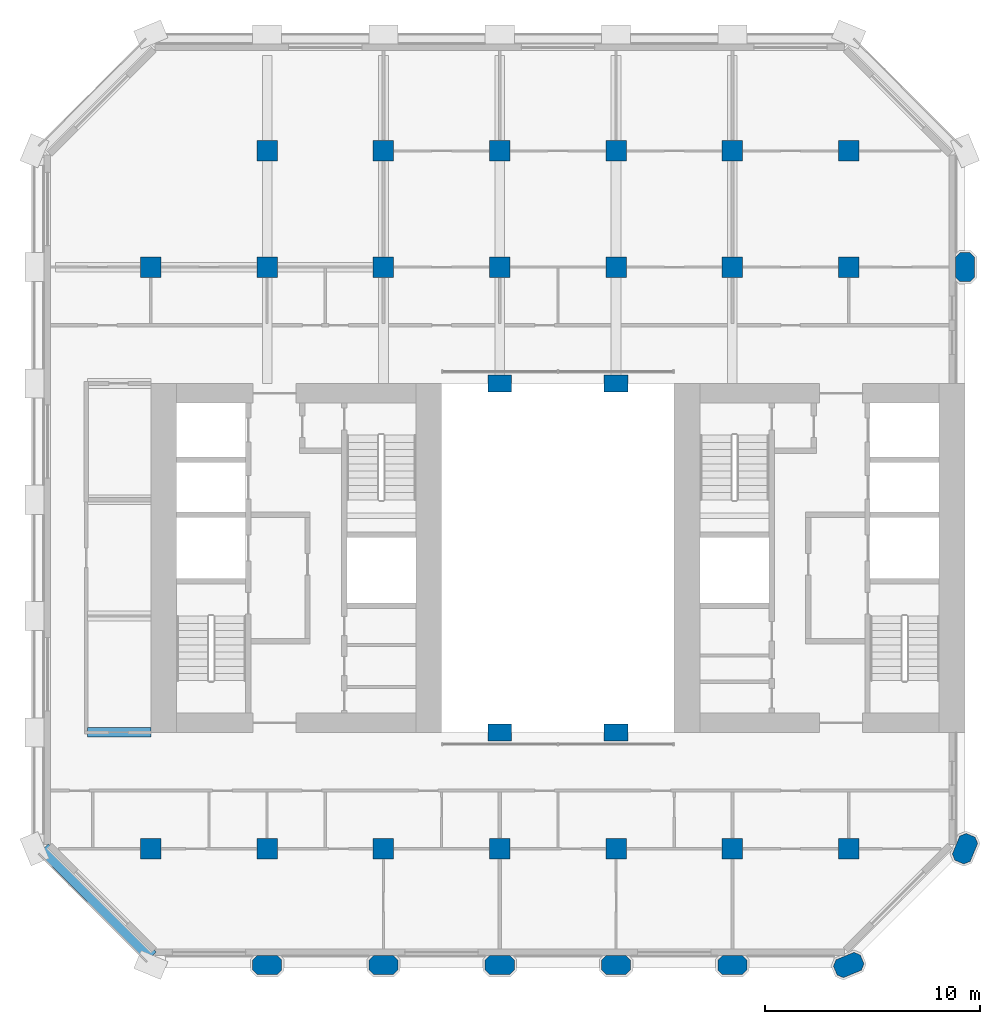
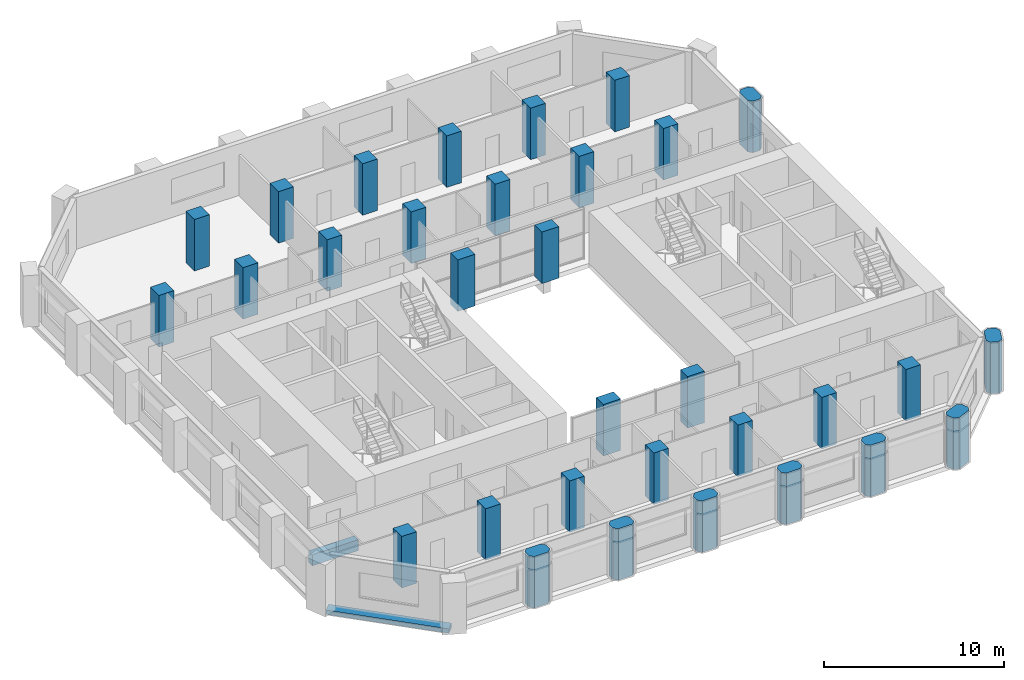
# One storey, part 1 of 13: 32 columns, 2 beams.
"""IFC4 building model written with IfcOpenShell, lengths in metres."""

import ifcopenshell
import ifcopenshell.guid

model = None  # the IFC model being written
_history = None  # IfcOwnerHistory: only IFC2X3 demands one
_inside = {}  # id of a spatial element -> (the spatial element, [elements in it])
_under = {}  # id of a project, library or spatial element -> (it, [spatial elements below it])
_declared = {}  # id of a project -> (the project, [libraries it declares])
_typed = {}  # id of a type object -> (the type object, [elements of that type])
_made_of = {}  # id of a material, layer set ... -> (it, [elements and type objects made of it])


def new_model(schema):
    """Start an empty IFC model of exactly this schema.

    Asked for "IFC4X3", IfcOpenShell would pick the latest addendum, in which some entities
    have other attributes; the version numbers below select the first issue.
    IFC2X3 requires an IfcOwnerHistory on every rooted entity: one is made here for all.
    """
    global model, _history
    if schema == "IFC4X3":
        model = ifcopenshell.file(schema_version=(4, 3, 0, 0))
    else:
        model = ifcopenshell.file(schema=schema)
    _inside.clear()
    _under.clear()
    _declared.clear()
    _typed.clear()
    _made_of.clear()
    _history = None
    if model.schema == "IFC2X3":
        org = make("IfcOrganization", Name="unknown")
        user = make(
            "IfcPersonAndOrganization",
            ThePerson=make("IfcPerson", FamilyName="unknown"),
            TheOrganization=org,
        )
        app = make(
            "IfcApplication",
            ApplicationDeveloper=org,
            Version="unknown",
            ApplicationFullName="unknown",
            ApplicationIdentifier="unknown",
        )
        _history = make(
            "IfcOwnerHistory",
            OwningUser=user,
            OwningApplication=app,
            ChangeAction="ADDED",
            CreationDate=0,
        )
    return model


def make(cls, **values):
    """One entity of the class cls with the attributes given. An attribute that is None is left unset."""
    return model.create_entity(
        cls, **{name: value for name, value in values.items() if value is not None}
    )


def rooted(cls, **values):
    """An entity with a GlobalId (a new one), such as an element, a storey or a relation."""
    return make(cls, GlobalId=ifcopenshell.guid.new(), OwnerHistory=_history, **values)


def si_unit(unit_type, name, prefix=None):
    """IfcSIUnit, for example si_unit("LENGTHUNIT", "METRE", prefix="MILLI")."""
    return make("IfcSIUnit", UnitType=unit_type, Prefix=prefix, Name=name)


def assignment(units):
    """IfcUnitAssignment: the units of a project."""
    return None if units is None else make("IfcUnitAssignment", Units=units)


def point(xyz):
    """IfcCartesianPoint."""
    return None if xyz is None else make("IfcCartesianPoint", Coordinates=xyz)


def direction(xyz):
    """IfcDirection."""
    return None if xyz is None else make("IfcDirection", DirectionRatios=xyz)


def frame(location, z_axis=None, x_axis=None):
    """IfcAxis2Placement3D, a coordinate frame: its origin and axes. An axis left out is left unset."""
    return make(
        "IfcAxis2Placement3D",
        Location=point(location),
        Axis=direction(z_axis),
        RefDirection=direction(x_axis),
    )


def frame_2d(location, x_axis=None):
    """IfcAxis2Placement2D, a coordinate frame in the plane: its origin and x axis."""
    return make(
        "IfcAxis2Placement2D", Location=point(location), RefDirection=direction(x_axis)
    )


def origin():
    """The frame at (0, 0, 0) with its axes left unset."""
    return frame((0.0, 0.0, 0.0))


def origin_2d():
    """The frame at (0, 0) in the plane with its x axis left unset."""
    return frame_2d((0.0, 0.0))


def place(relative_to, where):
    """IfcLocalPlacement: puts the frame where relative to a parent placement (None: the world)."""
    return make(
        "IfcLocalPlacement", PlacementRelTo=relative_to, RelativePlacement=where
    )


def context(
    kind, dimensions, precision=None, world=None, true_north=None, identifier=None
):
    """IfcGeometricRepresentationContext, for example the 3D "Model" context."""
    return make(
        "IfcGeometricRepresentationContext",
        ContextIdentifier=identifier,
        ContextType=kind,
        CoordinateSpaceDimension=dimensions,
        Precision=precision,
        WorldCoordinateSystem=world,
        TrueNorth=true_north,
    )


def subcontext(parent, identifier, kind, view, scale=None):
    """IfcGeometricRepresentationSubContext, for example "Body" below "Model"."""
    return make(
        "IfcGeometricRepresentationSubContext",
        ContextIdentifier=identifier,
        ContextType=kind,
        ParentContext=parent,
        TargetScale=scale,
        TargetView=view,
    )


def project(units=None, contexts=None):
    """IfcProject with its units and contexts."""
    return rooted(
        "IfcProject",
        Name="project",
        RepresentationContexts=contexts,
        UnitsInContext=assignment(units),
    )


def spatial(cls, under=None, at=None, **own):
    """A site, building, storey or space (cls), placed at a placement, below another one or the project."""
    s = rooted(cls, ObjectPlacement=at, **own)
    if under is not None:
        _under.setdefault(under.id(), (under, []))[1].append(s)
    return s


def polyline(points):
    """IfcPolyline through the points."""
    return make("IfcPolyline", Points=[point(p) for p in points])


def profile(cls, at=None, kind="AREA", **sizes):
    """A parametric profile (cls). Its sizes go by their IFC names, for example OverallWidth=200.0."""
    return make(cls, ProfileType=kind, Position=at, **sizes)


def rectangle(**sizes):
    """IfcRectangleProfileDef."""
    return profile("IfcRectangleProfileDef", **sizes)


def outline(outer, holes=None, kind="AREA"):
    """IfcArbitraryClosedProfileDef: a profile drawn as a closed curve; with holes, ...WithVoids."""
    if holes is None:
        return make("IfcArbitraryClosedProfileDef", ProfileType=kind, OuterCurve=outer)
    return make(
        "IfcArbitraryProfileDefWithVoids",
        ProfileType=kind,
        OuterCurve=outer,
        InnerCurves=holes,
    )


def extrude(swept, where, along, depth):
    """IfcExtrudedAreaSolid: the profile swept, set in the frame where, extruded along a direction by depth."""
    return make(
        "IfcExtrudedAreaSolid",
        SweptArea=swept,
        Position=where,
        ExtrudedDirection=direction(along),
        Depth=depth,
    )


def shape(context_of_items, identifier, shape_type, items):
    """IfcShapeRepresentation: the items that make up one representation, for example the "Body"."""
    return make(
        "IfcShapeRepresentation",
        ContextOfItems=context_of_items,
        RepresentationIdentifier=identifier,
        RepresentationType=shape_type,
        Items=items,
    )


def material(Name=None, Category=None):
    """IfcMaterial."""
    return make("IfcMaterial", Name=Name, Category=Category)


def material_profile(
    of_material, cross_section, Name=None, Category=None, Priority=None
):
    """IfcMaterialProfile: a cross section and its material."""
    return make(
        "IfcMaterialProfile",
        Name=Name,
        Material=of_material,
        Profile=cross_section,
        Priority=Priority,
        Category=Category,
    )


def profile_set(profiles, Name=None, composite=None):
    """IfcMaterialProfileSet."""
    return make(
        "IfcMaterialProfileSet",
        Name=Name,
        MaterialProfiles=profiles,
        CompositeProfile=composite,
    )


def made_of(thing, what):
    """Note that an element or type object is made of a material, layer set ...; save() writes the relation."""
    if what is not None:
        _made_of.setdefault(what.id(), (what, []))[1].append(thing)
    return thing


def type_object(cls, material=None, **own):
    """A type object (cls), such as IfcWallType, which elements share."""
    return made_of(rooted(cls, **own), material)


def element(
    cls,
    number,
    at=None,
    inside=None,
    cuts=None,
    type_object=None,
    material=None,
    context=None,
    identifier="Body",
    shape_type=None,
    held_by="IfcProductDefinitionShape",
    body=None,
    shapes=None,
    **own,
):
    """One element of the class cls, such as IfcWall. Its Tag is "e" and its number.

    at: its placement. inside: the storey or other place that contains it. cuts: it is an
    opening in that element (IfcRelVoidsElement). A single representation is given by context,
    identifier, shape_type and body (its items); several are given by shapes. held_by: the class
    of the entity that holds the representations. save() writes the other relations.
    """
    e = rooted(cls, Tag="e%d" % number, ObjectPlacement=at, **own)
    if body is not None:
        shapes = [shape(context, identifier, shape_type, body)]
    if shapes is not None:
        e.Representation = make(held_by, Representations=shapes)
    if inside is not None:
        _inside.setdefault(inside.id(), (inside, []))[1].append(e)
    if cuts is not None:
        rooted(
            "IfcRelVoidsElement", RelatingBuildingElement=cuts, RelatedOpeningElement=e
        )
    if type_object is not None:
        _typed.setdefault(type_object.id(), (type_object, []))[1].append(e)
    return made_of(e, material)


def aggregate(whole, parts):
    """IfcRelAggregates: a whole, such as a stair, and the parts it consists of."""
    return rooted("IfcRelAggregates", RelatingObject=whole, RelatedObjects=parts)


def save(model, path):
    """Write the relations noted so far, then the file.

    IfcRelAggregates (storeys below a building ...), IfcRelContainedInSpatialStructure (elements
    in a storey), IfcRelDefinesByType, IfcRelAssociatesMaterial and IfcRelDeclares: one each for
    every whole, place, type object, material and project.
    """
    for whole, parts in _under.values():
        aggregate(whole, parts)
    for where, things in _inside.values():
        rooted(
            "IfcRelContainedInSpatialStructure",
            RelatedElements=things,
            RelatingStructure=where,
        )
    for kind, things in _typed.values():
        rooted("IfcRelDefinesByType", RelatedObjects=things, RelatingType=kind)
    for what, things in _made_of.values():
        rooted("IfcRelAssociatesMaterial", RelatedObjects=things, RelatingMaterial=what)
    for by, libraries in _declared.values():
        rooted("IfcRelDeclares", RelatingContext=by, RelatedDefinitions=libraries)
    model.write(path)


model = new_model("IFC4")

# Units and contexts
model_context = context("Model", 3, precision=1e-05, world=origin(), true_north=direction((0.0, 1.0)))
body_context = subcontext(model_context, "Body", "Model", "MODEL_VIEW")
ifc_project = project(units=[si_unit("LENGTHUNIT", "METRE"), si_unit("AREAUNIT", "SQUARE_METRE"), si_unit("VOLUMEUNIT", "CUBIC_METRE"), si_unit("PLANEANGLEUNIT", "RADIAN"), si_unit("MASSUNIT", "GRAM", prefix="KILO")], contexts=[model_context])

# Site, building, storey
site_placement = place(None, origin())
site = spatial("IfcSite", under=ifc_project, at=site_placement, CompositionType="ELEMENT")
building_placement = place(site_placement, origin())
building = spatial("IfcBuilding", under=site, at=building_placement, Name="Tabaq Tower and Sports Hall", CompositionType="ELEMENT")
storey_placement = place(building_placement, frame((0.0, 0.0, 118.199951171875)))
storey = spatial("IfcBuildingStorey", under=building, at=storey_placement, Name="L28", CompositionType="ELEMENT", Elevation=118.199951171875)

# Columns
ifc_material_1 = material(Name="Concrete C60/75", Category="concrete")
ifc_material_profile_1 = material_profile(ifc_material_1, rectangle(XDim=1.10009765625, YDim=0.800048828125, at=origin_2d()), Name="ATRIUM COLUMN 1100x800")
ifc_profile_set_1 = profile_set([ifc_material_profile_1], Name="Concrete C60/75")
column_type_1 = type_object("IfcColumnType", Name="RC COLUMN ATRIUM COLUMN 1100x800 C60/75", PredefinedType="COLUMN", material=ifc_profile_set_1)
for number, where, z_axis, x_axis, name in (
    (1, (21.60009765625, 16.199951171875, 0.0), (0.0, 0.0, 1.0), (1.0, 0.0, 0.0), "Atrium Column 5/D L28"),
    (2, (27.0, 16.199951171875, 0.0), (0.0, 0.0, 1.0), (1.0, 0.0, 0.0), "Atrium Column 6/D L28"),
    (3, (21.60009765625, 32.39990234375, 0.0), (0.0, 0.0, 1.0), (1.0, 0.0, 0.0), "Atrium Column 5/G L28"),
    (4, (27.0, 32.39990234375, 0.0), (0.0, 0.0, 1.0), (1.0, 0.0, 0.0), "Atrium Column 6/G L28"),
):
    element("IfcColumn", number, at=place(storey_placement, frame(where, z_axis=z_axis, x_axis=x_axis)), inside=storey, type_object=column_type_1, Name=name, PredefinedType="COLUMN", context=body_context, shape_type="SweptSolid", body=[
        extrude(rectangle(XDim=1.10009765625, YDim=0.800048828125, at=origin_2d()), origin(), (0.0, 0.0, 1.0), 3.5),
    ])
ifc_material_2 = material(Name="Concrete C60/75", Category="concrete")
ifc_material_profile_2 = material_profile(ifc_material_2, rectangle(XDim=0.949951171875, YDim=0.949951171875, at=origin_2d()), Name="COLUMN 950x950")
ifc_profile_set_2 = profile_set([ifc_material_profile_2], Name="Concrete C60/75")
column_type_2 = type_object("IfcColumnType", Name="RC COLUMN COLUMN 950x950 C60/75", PredefinedType="COLUMN", material=ifc_profile_set_2)
for number, where, z_axis, x_axis, name in (
    (5, (5.39990234375, 10.800048828125, 0.0), (0.0, 0.0, 1.0), (1.0, 0.0, 0.0), "Column 2/C L28"),
    (6, (10.800048828125, 10.800048828125, 0.0), (0.0, 0.0, 1.0), (1.0, 0.0, 0.0), "Column 3/C L28"),
    (7, (16.199951171875, 10.800048828125, 0.0), (0.0, 0.0, 1.0), (1.0, 0.0, 0.0), "Column 4/C L28"),
    (8, (21.60009765625, 10.800048828125, 0.0), (0.0, 0.0, 1.0), (1.0, 0.0, 0.0), "Column 5/C L28"),
    (9, (27.0, 10.800048828125, 0.0), (0.0, 0.0, 1.0), (1.0, 0.0, 0.0), "Column 6/C L28"),
    (10, (32.39990234375, 10.800048828125, 0.0), (0.0, 0.0, 1.0), (1.0, 0.0, 0.0), "Column 7/C L28"),
    (11, (37.800048828125, 10.800048828125, 0.0), (0.0, 0.0, 1.0), (1.0, 0.0, 0.0), "Column 8/C L28"),
    (12, (5.39990234375, 37.800048828125, 0.0), (0.0, 0.0, 1.0), (1.0, 0.0, 0.0), "Column 2/H L28"),
    (13, (10.800048828125, 37.800048828125, 0.0), (0.0, 0.0, 1.0), (1.0, 0.0, 0.0), "Column 3/H L28"),
    (14, (16.199951171875, 37.800048828125, 0.0), (0.0, 0.0, 1.0), (1.0, 0.0, 0.0), "Column 4/H L28"),
    (15, (21.60009765625, 37.800048828125, 0.0), (0.0, 0.0, 1.0), (1.0, 0.0, 0.0), "Column 5/H L28"),
    (16, (27.0, 37.800048828125, 0.0), (0.0, 0.0, 1.0), (1.0, 0.0, 0.0), "Column 6/H L28"),
    (17, (32.39990234375, 37.800048828125, 0.0), (0.0, 0.0, 1.0), (1.0, 0.0, 0.0), "Column 7/H L28"),
    (18, (37.800048828125, 37.800048828125, 0.0), (0.0, 0.0, 1.0), (1.0, 0.0, 0.0), "Column 8/H L28"),
    (19, (10.800048828125, 43.199951171875, 0.0), (0.0, 0.0, 1.0), (1.0, 0.0, 0.0), "Column 3/I L28"),
    (20, (16.199951171875, 43.199951171875, 0.0), (0.0, 0.0, 1.0), (1.0, 0.0, 0.0), "Column 4/I L28"),
    (21, (21.60009765625, 43.199951171875, 0.0), (0.0, 0.0, 1.0), (1.0, 0.0, 0.0), "Column 5/I L28"),
    (22, (27.0, 43.199951171875, 0.0), (0.0, 0.0, 1.0), (1.0, 0.0, 0.0), "Column 6/I L28"),
    (23, (32.39990234375, 43.199951171875, 0.0), (0.0, 0.0, 1.0), (1.0, 0.0, 0.0), "Column 7/I L28"),
    (24, (37.800048828125, 43.199951171875, 0.0), (0.0, 0.0, 1.0), (1.0, 0.0, 0.0), "Column 8/I L28"),
):
    element("IfcColumn", number, at=place(storey_placement, frame(where, z_axis=z_axis, x_axis=x_axis)), inside=storey, type_object=column_type_2, Name=name, PredefinedType="COLUMN", context=body_context, shape_type="SweptSolid", body=[
        extrude(rectangle(XDim=0.949951171875, YDim=0.949951171875, at=origin_2d()), origin(), (0.0, 0.0, 1.0), 3.5),
    ])
ifc_material_3 = material(Name="Concrete C60/75", Category="concrete")
ifc_material_profile_3 = material_profile(ifc_material_3, outline(polyline([(-0.449951171875, -0.449951171875), (0.449951171875, -0.449951171875), (0.675048828125, -0.22509765625), (0.675048828125, 0.22509765625), (0.449951171875, 0.449951171875), (-0.449951171875, 0.449951171875), (-0.675048828125, 0.22509765625), (-0.675048828125, -0.22509765625), (-0.449951171875, -0.449951171875)])), Name="PIER 1350x900")
ifc_profile_set_3 = profile_set([ifc_material_profile_3], Name="Concrete C60/75")
column_type_3 = type_object("IfcColumnType", Name="RC COLUMN PIER 1350x900 C60/75", PredefinedType="COLUMN", material=ifc_profile_set_3)
for number, where, z_axis, x_axis, name in (
    (25, (10.800048828125, 5.39990234375, 0.0), (0.0, 0.0, 1.0), (1.0, 0.0, 0.0), "Pier 3/B L28"),
    (26, (16.199951171875, 5.39990234375, 0.0), (0.0, 0.0, 1.0), (1.0, 0.0, 0.0), "Pier 4/B L28"),
    (27, (21.60009765625, 5.39990234375, 0.0), (0.0, 0.0, 1.0), (1.0, 0.0, 0.0), "Pier 5/B L28"),
    (28, (27.0, 5.39990234375, 0.0), (0.0, 0.0, 1.0), (1.0, 0.0, 0.0), "Pier 6/B L28"),
    (29, (32.39990234375, 5.39990234375, 0.0), (0.0, 0.0, 1.0), (1.0, 0.0, 0.0), "Pier 7/B L28"),
    (30, (37.800048828125, 5.39990234375, 0.0), (0.0, 0.0, 1.0), (0.923879532511, 0.382683432365, 0.0), "Pier 8/B L28"),
    (31, (43.199951171875, 10.800048828125, 0.0), (0.0, 0.0, 1.0), (0.382683432365, 0.923879532511, 0.0), "Pier 9/C L28"),
    (32, (43.199951171875, 37.800048828125, 0.0), (0.0, 0.0, 1.0), (0.0, 1.0, 0.0), "Pier 9/H L28"),
):
    element("IfcColumn", number, at=place(storey_placement, frame(where, z_axis=z_axis, x_axis=x_axis)), inside=storey, type_object=column_type_3, Name=name, PredefinedType="COLUMN", context=body_context, shape_type="SweptSolid", body=[
        extrude(outline(polyline([(-0.449951171875, -0.449951171875), (0.449951171875, -0.449951171875), (0.675048828125, -0.22509765625), (0.675048828125, 0.22509765625), (0.449951171875, 0.449951171875), (-0.449951171875, 0.449951171875), (-0.675048828125, 0.22509765625), (-0.675048828125, -0.22509765625), (-0.449951171875, -0.449951171875)])), origin(), (0.0, 0.0, 1.0), 3.5),
    ])

# Beams
ifc_material_4 = material(Name="Concrete C40/50", Category="concrete")
ifc_material_profile_4 = material_profile(ifc_material_4, rectangle(XDim=0.449951171875, YDim=0.75, at=origin_2d()), Name="CB 450x750")
ifc_profile_set_4 = profile_set([ifc_material_profile_4], Name="Concrete C40/50")
beam_type_1 = type_object("IfcBeamType", Name="PT CANTILEVER BEAM CB 450x750 C40/50", PredefinedType="BEAM", material=ifc_profile_set_4)
beam_1_placement = place(storey_placement, frame((2.449951171875, 16.199951171875, -0.675048828125), z_axis=(1.0, 0.0, 0.0), x_axis=(0.0, 1.0, 0.0)))
element("IfcBeam", 33, at=beam_1_placement, inside=storey, type_object=beam_type_1, Name="Cantilever Beam L28 W3 span 1", PredefinedType="BEAM", context=body_context, shape_type="SweptSolid", body=[
    extrude(rectangle(XDim=0.449951171875, YDim=0.75, at=origin_2d()), origin(), (0.0, 0.0, 1.0), 2.949951171875),
])
ifc_material_5 = material(Name="Concrete C40/50", Category="concrete")
ifc_material_profile_5 = material_profile(ifc_material_5, rectangle(XDim=0.60009765625, YDim=0.300048828125, at=origin_2d()), Name="EB 600x300")
ifc_profile_set_5 = profile_set([ifc_material_profile_5], Name="Concrete C40/50")
beam_type_2 = type_object("IfcBeamType", Name="PT EDGE BEAM EB 600x300 C40/50", PredefinedType="SPANDREL", material=ifc_profile_set_5)
beam_2_placement = place(storey_placement, frame((0.42333984375, 10.801025390625, -0.14990234375), z_axis=(0.707089559252, -0.707124002701, 0.0), x_axis=(0.707124002701, 0.707089559252, 0.0)))
element("IfcBeam", 34, at=beam_2_placement, inside=storey, type_object=beam_type_2, Name="Edge Beam L28 5", PredefinedType="SPANDREL", context=body_context, shape_type="SweptSolid", body=[
    extrude(rectangle(XDim=0.60009765625, YDim=0.300048828125, at=origin_2d()), origin(), (0.0, 0.0, 1.0), 7.088134765625),
])

save(model, "model.ifc")
